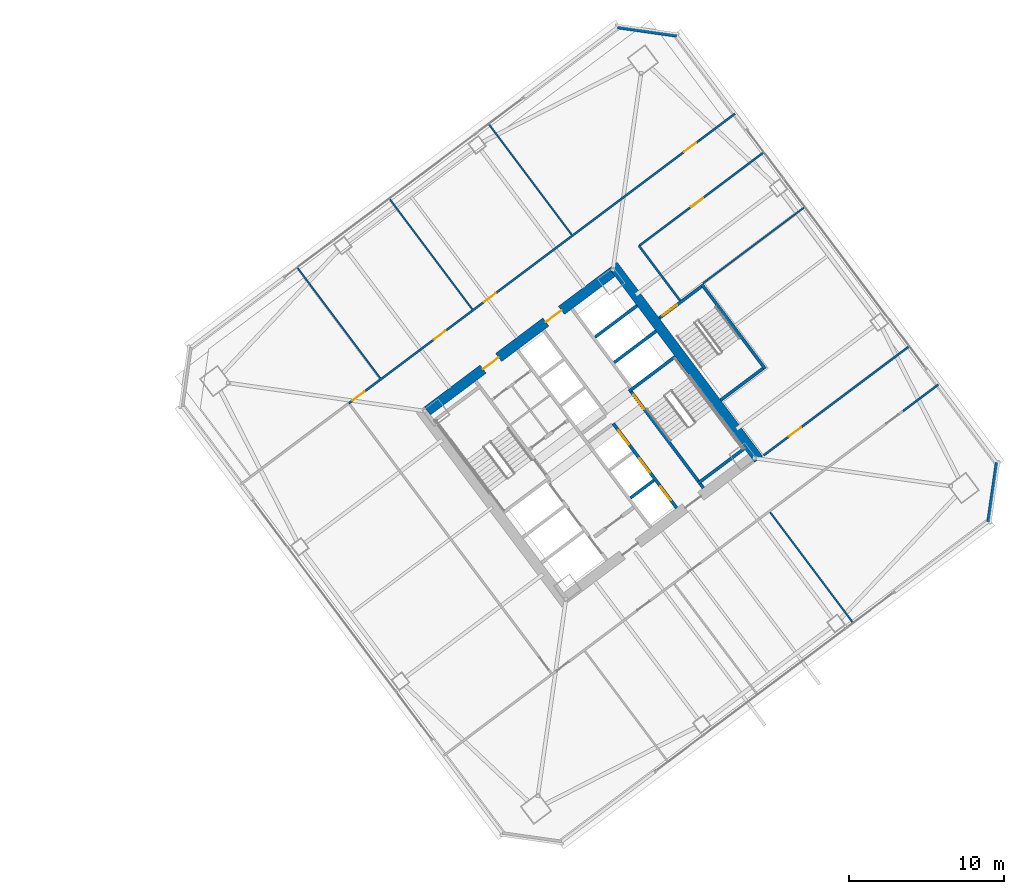
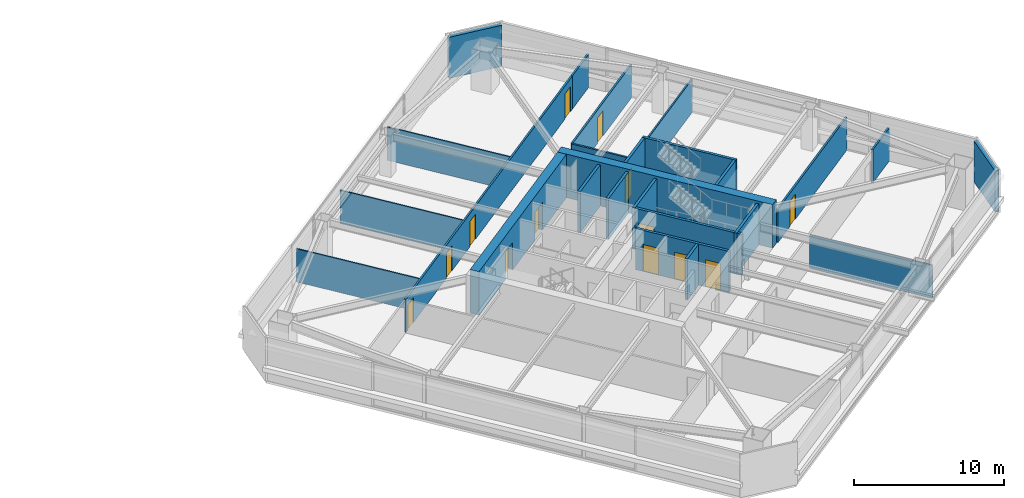
# One storey, part 36 of 44: 25 walls, 13 doors, 13 openings.
"""IFC4 building model written with IfcOpenShell, lengths in metres."""

from ifc_helpers import new_model, si_unit, direction, frame, frame_2d, origin, place, context, subcontext, project, spatial, rectangle, extrude, material, layer, layer_set, type_object, element, fill, save


model = new_model("IFC4")

# Units and contexts
model_context = context("Model", 3, precision=1e-05, world=origin(), true_north=direction((0.0, 1.0)))
body_context = subcontext(model_context, "Body", "Model", "MODEL_VIEW")
ifc_project = project(units=[si_unit("LENGTHUNIT", "METRE"), si_unit("AREAUNIT", "SQUARE_METRE"), si_unit("VOLUMEUNIT", "CUBIC_METRE"), si_unit("PLANEANGLEUNIT", "RADIAN"), si_unit("MASSUNIT", "GRAM", prefix="KILO")], contexts=[model_context])

# Site, building, storey
site_placement = place(None, origin())
site = spatial("IfcSite", under=ifc_project, at=site_placement, CompositionType="ELEMENT")
building_placement = place(site_placement, origin())
building = spatial("IfcBuilding", under=site, at=building_placement, Name="Tashvorn Skyway Center", CompositionType="ELEMENT")
storey_placement = place(building_placement, frame((0.0, 0.0, 74.300048828125)))
storey = spatial("IfcBuildingStorey", under=building, at=storey_placement, Name="L19", CompositionType="ELEMENT", Elevation=74.300048828125)

# Wall
ifc_material_1 = material(Name="Concrete C60/75", Category="concrete")
ifc_layer_1 = layer(ifc_material_1, 0.64990234375)
ifc_layer_set_1 = layer_set([ifc_layer_1], Name="Concrete C60/75")
wall_type_1 = type_object("IfcWallType", Name="WALL-CORE-650", PredefinedType="SHEAR", material=ifc_layer_set_1)
wall_1_placement = place(storey_placement, frame((115.52392578125, 42.89306640625, 0.0), z_axis=(0.0, 0.0, 1.0), x_axis=(0.600005007985, -0.799996243986, 0.0)))
element("IfcWall", 1, at=wall_1_placement, inside=storey, type_object=wall_type_1, Name="Tower 2 L19 East Core Shear Wall", PredefinedType="SHEAR", context=body_context, shape_type="SweptSolid", body=[
    extrude(rectangle(XDim=15.60009765625, YDim=0.64990234375, at=frame_2d((7.800048828125, 0.0))), origin(), (0.0, 0.0, 1.0), 3.550048828125),
])

# Wall, openings, doors
wall_2_placement = place(storey_placement, frame((103.571044921875, 33.52197265625, 0.0), z_axis=(0.0, 0.0, 1.0), x_axis=(0.799998028465, 0.600002628705, 0.0)))
wall_2 = element("IfcWall", 2, at=wall_2_placement, inside=storey, type_object=wall_type_1, Name="Tower 2 L19 North Core Shear Wall", PredefinedType="SHEAR", context=body_context, shape_type="SweptSolid", body=[
    extrude(rectangle(XDim=14.85986328125, YDim=0.64990234375, at=frame_2d((7.429931640625, 0.0))), origin(), (0.0, 0.0, 1.0), 3.550048828125),
])
opening_1_placement = place(wall_2_placement, frame((4.47998046875, 0.0, 0.0)))
opening_1 = element("IfcOpeningElement", 3, at=opening_1_placement, cuts=wall_2, Name="Opening D-FFL-1250", PredefinedType="OPENING", context=body_context, shape_type="SweptSolid", body=[
    extrude(rectangle(XDim=1.25, YDim=2.25, at=frame_2d((0.625, 1.125))), frame((0.0, 0.3349609375, 0.0), z_axis=(0.0, -1.0, 0.0), x_axis=(1.0, 0.0, 0.0)), (0.0, 0.0, 1.0), 0.669921875),
])
opening_2_placement = place(wall_2_placement, frame((9.530029296875, 0.0, 0.0)))
opening_2 = element("IfcOpeningElement", 4, at=opening_2_placement, cuts=wall_2, Name="Opening D-FFL-1250", PredefinedType="OPENING", context=body_context, shape_type="SweptSolid", body=[
    extrude(rectangle(XDim=1.25, YDim=2.25, at=frame_2d((0.625, 1.125))), frame((0.0, 0.3349609375, 0.0), z_axis=(0.0, -1.0, 0.0), x_axis=(1.0, 0.0, 0.0)), (0.0, 0.0, 1.0), 0.669921875),
])
ifc_material_2 = material(Name="Hollow galvanized steel fire door assembly", Category="steel")
door_type_1 = type_object("IfcDoorType", Name="DOOR-FFL-1250", OperationType="NOTDEFINED", PredefinedType="DOOR", material=ifc_material_2)
door_1_placement = place(opening_1_placement, origin())
door_1 = element("IfcDoor", 5, at=door_1_placement, inside=storey, type_object=door_type_1, Name="Tower 2 L19 Core North Service Lobby Door", OperationType="SINGLE_SWING_LEFT", OverallHeight=2.25, OverallWidth=1.25, PredefinedType="DOOR", context=body_context, shape_type="SweptSolid", body=[
    extrude(rectangle(XDim=1.25, YDim=2.25, at=frame_2d((0.625, 1.125))), frame((0.0, 0.02490234375, 0.0), z_axis=(0.0, -1.0, 0.0), x_axis=(1.0, 0.0, 0.0)), (0.0, 0.0, 1.0), 0.050048828125),
])
fill(opening_1, door_1)
door_2_placement = place(opening_2_placement, origin())
door_2 = element("IfcDoor", 6, at=door_2_placement, inside=storey, type_object=door_type_1, Name="Tower 2 L19 Core North Lift Lobby Door", OperationType="SINGLE_SWING_RIGHT", OverallHeight=2.25, OverallWidth=1.25, PredefinedType="DOOR", context=body_context, shape_type="SweptSolid", body=[
    extrude(rectangle(XDim=1.25, YDim=2.25, at=frame_2d((0.625, 1.125))), frame((0.0, 0.02490234375, 0.0), z_axis=(0.0, -1.0, 0.0), x_axis=(1.0, 0.0, 0.0)), (0.0, 0.0, 1.0), 0.050048828125),
])
fill(opening_2, door_2)

# Walls
ifc_material_3 = material(Name="Precast concrete C40/50", Category="concrete")
ifc_layer_2 = layer(ifc_material_3, 0.280029296875)
ifc_layer_set_2 = layer_set([ifc_layer_2], Name="Precast concrete C40/50")
wall_type_2 = type_object("IfcWallType", Name="WALL-EXT-280", PredefinedType="SOLIDWALL", material=ifc_layer_set_2)
for number, where, z_axis, x_axis, name in (
    (7, (115.820068359375, 58.239990234375, 0.0), (0.0, 0.0, 1.0), (0.989948214866, -0.141430307517, 0.0), "Tower 2 L19 NE Precast Chamfer Wall"),
    (8, (140.239990234375, 30.179931640625, 0.0), (0.0, 0.0, 1.0), (-0.141430307517, -0.989948214866, 0.0), "Tower 2 L19 SE Precast Chamfer Wall"),
):
    element("IfcWall", number, at=place(storey_placement, frame(where, z_axis=z_axis, x_axis=x_axis)), inside=storey, type_object=wall_type_2, Name=name, PredefinedType="SOLIDWALL", context=body_context, shape_type="SweptSolid", body=[
        extrude(rectangle(XDim=3.818359375, YDim=0.280029296875, at=frame_2d((1.9091796875, 0.0))), origin(), (0.0, 0.0, 1.0), 3.349853515625),
    ])
ifc_material_4 = material(Name="Gypsum board on cold-formed steel stud framing", Category="steel")
ifc_layer_3 = layer(ifc_material_4, 0.110107421875)
ifc_layer_set_3 = layer_set([ifc_layer_3], Name="Gypsum board on cold-formed steel stud framing")
wall_type_3 = type_object("IfcWallType", Name="WALL-PART-110", PredefinedType="PARTITIONING", material=ifc_layer_set_3)
for number, where, z_axis, x_axis, name in (
    (9, (100.531982421875, 35.6240234375, 0.0), (0.0, 0.0, 1.0), (-0.600013167126, 0.799990124486, 0.0), "Tower 2 L19 North Suite Partition 1"),
    (10, (106.451904296875, 40.06396484375, 0.0), (0.0, 0.0, 1.0), (-0.599982443676, 0.800013166942, 0.0), "Tower 2 L19 North Suite Partition 2"),
    (11, (112.85205078125, 44.864013671875, 0.0), (0.0, 0.0, 1.0), (-0.600013167126, 0.799990124486, 0.0), "Tower 2 L19 North Suite Partition 3"),
):
    element("IfcWall", number, at=place(storey_placement, frame(where, z_axis=z_axis, x_axis=x_axis)), inside=storey, type_object=wall_type_3, Name=name, PredefinedType="PARTITIONING", context=body_context, shape_type="SweptSolid", body=[
        extrude(rectangle(XDim=8.89990234375, YDim=0.110107421875, at=frame_2d((4.449951171875, 0.0))), origin(), (0.0, 0.0, 1.0), 2.702880859375),
    ])
wall_3_placement = place(storey_placement, frame((130.968017578125, 19.8759765625, 0.0), z_axis=(0.0, 0.0, 1.0), x_axis=(-0.6, 0.8, 0.0)))
element("IfcWall", 12, at=wall_3_placement, inside=storey, type_object=wall_type_3, Name="Tower 2 L19 South Suite Partition 3", PredefinedType="PARTITIONING", context=body_context, shape_type="SweptSolid", body=[
    extrude(rectangle(XDim=8.900146484375, YDim=0.110107421875, at=frame_2d((4.4501953125, 0.0))), origin(), (0.0, 0.0, 1.0), 2.702880859375),
])
wall_4_placement = place(storey_placement, frame((127.864013671875, 46.64794921875, 0.0), z_axis=(0.0, 0.0, 1.0), x_axis=(-0.800007145523, -0.599990472518, 0.0)))
element("IfcWall", 13, at=wall_4_placement, inside=storey, type_object=wall_type_3, Name="Tower 2 L19 East Suite Partition 1", PredefinedType="PARTITIONING", context=body_context, shape_type="SweptSolid", body=[
    extrude(rectangle(XDim=8.199951171875, YDim=0.110107421875, at=frame_2d((4.10009765625, 0.0))), origin(), (0.0, 0.0, 1.0), 2.702880859375),
])
ifc_layer_4 = layer(ifc_material_4, 0.135009765625)
ifc_layer_set_4 = layer_set([ifc_layer_4], Name="Gypsum board on cold-formed steel stud framing")
wall_type_4 = type_object("IfcWallType", Name="WALL-PART-135", PredefinedType="PARTITIONING", material=ifc_layer_set_4)
wall_5_placement = place(storey_placement, frame((119.823974609375, 40.617919921875, 0.0), z_axis=(0.0, 0.0, 1.0), x_axis=(-0.599982243973, 0.800013316712, 0.0)))
element("IfcWall", 14, at=wall_5_placement, inside=storey, type_object=wall_type_4, Name="Tower 2 L19 Stair 3 Access Corridor Wall", PredefinedType="PARTITIONING", context=body_context, shape_type="SweptSolid", body=[
    extrude(rectangle(XDim=4.39990234375, YDim=0.135009765625, at=frame_2d((2.199951171875, 0.0))), origin(), (0.0, 0.0, 1.0), 2.702880859375),
])

# Wall, openings, doors
wall_6_placement = place(storey_placement, frame((98.51611328125, 34.011962890625, 0.0), z_axis=(0.0, 0.0, 1.0), x_axis=(0.8, 0.6, 0.0)))
wall_6 = element("IfcWall", 15, at=wall_6_placement, inside=storey, type_object=wall_type_4, Name="Tower 2 L19 North Suite Wall", PredefinedType="PARTITIONING", context=body_context, shape_type="SweptSolid", body=[
    extrude(rectangle(XDim=28.22998046875, YDim=0.135009765625, at=frame_2d((14.114990234375, 0.0))), origin(), (0.0, 0.0, 1.0), 2.702880859375),
])
opening_3_placement = place(wall_6_placement, frame((0.300048828125, 0.0, 0.0)))
opening_3 = element("IfcOpeningElement", 16, at=opening_3_placement, cuts=wall_6, Name="Opening D-INT-950", PredefinedType="OPENING", context=body_context, shape_type="SweptSolid", body=[
    extrude(rectangle(XDim=0.949951171875, YDim=2.050048828125, at=frame_2d((0.47509765625, 1.02490234375))), frame((0.0, 0.077392578125, 0.0), z_axis=(0.0, -1.0, 0.0), x_axis=(1.0, 0.0, 0.0)), (0.0, 0.0, 1.0), 0.155029296875),
])
opening_4_placement = place(wall_6_placement, frame((6.839599609375, 0.0, 0.0)))
opening_4 = element("IfcOpeningElement", 17, at=opening_4_placement, cuts=wall_6, Name="Opening D-INT-950", PredefinedType="OPENING", context=body_context, shape_type="SweptSolid", body=[
    extrude(rectangle(XDim=0.949951171875, YDim=2.050048828125, at=frame_2d((0.47509765625, 1.02490234375))), frame((0.0, 0.077392578125, 0.0), z_axis=(0.0, -1.0, 0.0), x_axis=(1.0, 0.0, 0.0)), (0.0, 0.0, 1.0), 0.155029296875),
])
opening_5_placement = place(wall_6_placement, frame((10.86328125, 0.0, 0.0)))
opening_5 = element("IfcOpeningElement", 18, at=opening_5_placement, cuts=wall_6, Name="Opening D-INT-950", PredefinedType="OPENING", context=body_context, shape_type="SweptSolid", body=[
    extrude(rectangle(XDim=0.949951171875, YDim=2.050048828125, at=frame_2d((0.47509765625, 1.02490234375))), frame((0.0, 0.077392578125, 0.0), z_axis=(0.0, -1.0, 0.0), x_axis=(1.0, 0.0, 0.0)), (0.0, 0.0, 1.0), 0.155029296875),
])
opening_6_placement = place(wall_6_placement, frame((26.97998046875, 0.0, 0.0)))
opening_6 = element("IfcOpeningElement", 19, at=opening_6_placement, cuts=wall_6, Name="Opening D-INT-950", PredefinedType="OPENING", context=body_context, shape_type="SweptSolid", body=[
    extrude(rectangle(XDim=0.949951171875, YDim=2.050048828125, at=frame_2d((0.47509765625, 1.02490234375))), frame((0.0, 0.077392578125, 0.0), z_axis=(0.0, -1.0, 0.0), x_axis=(1.0, 0.0, 0.0)), (0.0, 0.0, 1.0), 0.155029296875),
])
ifc_material_5 = material(Name="Solid-core architectural oak veneer door")
door_type_2 = type_object("IfcDoorType", Name="DOOR-INT-950", OperationType="NOTDEFINED", PredefinedType="DOOR", material=ifc_material_5)
door_3_placement = place(opening_3_placement, origin())
door_3 = element("IfcDoor", 20, at=door_3_placement, inside=storey, type_object=door_type_2, Name="Tower 2 L19 Conference Room Door", OperationType="SINGLE_SWING_LEFT", OverallHeight=2.050048828125, OverallWidth=0.949951171875, PredefinedType="DOOR", context=body_context, shape_type="SweptSolid", body=[
    extrude(rectangle(XDim=0.949951171875, YDim=2.050048828125, at=frame_2d((0.47509765625, 1.02490234375))), frame((0.0, 0.02490234375, 0.0), z_axis=(0.0, -1.0, 0.0), x_axis=(1.0, 0.0, 0.0)), (0.0, 0.0, 1.0), 0.050048828125),
])
fill(opening_3, door_3)
door_4_placement = place(opening_4_placement, origin())
door_4 = element("IfcDoor", 21, at=door_4_placement, inside=storey, type_object=door_type_2, Name="Tower 2 L19 Conference Room Door", OperationType="SINGLE_SWING_RIGHT", OverallHeight=2.050048828125, OverallWidth=0.949951171875, PredefinedType="DOOR", context=body_context, shape_type="SweptSolid", body=[
    extrude(rectangle(XDim=0.949951171875, YDim=2.050048828125, at=frame_2d((0.47509765625, 1.02490234375))), frame((0.0, 0.02490234375, 0.0), z_axis=(0.0, -1.0, 0.0), x_axis=(1.0, 0.0, 0.0)), (0.0, 0.0, 1.0), 0.050048828125),
])
fill(opening_4, door_4)
door_5_placement = place(opening_5_placement, origin())
door_5 = element("IfcDoor", 22, at=door_5_placement, inside=storey, type_object=door_type_2, Name="Tower 2 L19 Boardroom Door", OperationType="SINGLE_SWING_LEFT", OverallHeight=2.050048828125, OverallWidth=0.949951171875, PredefinedType="DOOR", context=body_context, shape_type="SweptSolid", body=[
    extrude(rectangle(XDim=0.949951171875, YDim=2.050048828125, at=frame_2d((0.47509765625, 1.02490234375))), frame((0.0, 0.02490234375, 0.0), z_axis=(0.0, -1.0, 0.0), x_axis=(1.0, 0.0, 0.0)), (0.0, 0.0, 1.0), 0.050048828125),
])
fill(opening_5, door_5)
door_6_placement = place(opening_6_placement, origin())
door_6 = element("IfcDoor", 23, at=door_6_placement, inside=storey, type_object=door_type_2, Name="Tower 2 L19 Gallery Showroom Door", OperationType="SINGLE_SWING_RIGHT", OverallHeight=2.050048828125, OverallWidth=0.949951171875, PredefinedType="DOOR", context=body_context, shape_type="SweptSolid", body=[
    extrude(rectangle(XDim=0.949951171875, YDim=2.050048828125, at=frame_2d((0.47509765625, 1.02490234375))), frame((0.0, 0.02490234375, 0.0), z_axis=(0.0, -1.0, 0.0), x_axis=(1.0, 0.0, 0.0)), (0.0, 0.0, 1.0), 0.050048828125),
])
fill(opening_6, door_6)

# Walls
wall_7_placement = place(storey_placement, frame((121.10009765625, 50.949951171875, 0.0), z_axis=(0.0, 0.0, 1.0), x_axis=(0.799989647378, 0.600013803248, 0.0)))
element("IfcWall", 24, at=wall_7_placement, inside=storey, type_object=wall_type_4, Name="Tower 2 L19 North-East Suite South Wall", PredefinedType="PARTITIONING", context=body_context, shape_type="SweptSolid", body=[
    extrude(rectangle(XDim=2.829833984375, YDim=0.135009765625, at=frame_2d((1.4150390625, 0.0))), origin(), (0.0, 0.0, 1.0), 2.702880859375),
])
wall_8_placement = place(storey_placement, frame((134.179931640625, 33.510009765625, 0.0), z_axis=(0.0, 0.0, 1.0), x_axis=(0.8000207031, 0.599972394874, 0.0)))
element("IfcWall", 25, at=wall_8_placement, inside=storey, type_object=wall_type_4, Name="Tower 2 L19 South-East Suite North Wall", PredefinedType="PARTITIONING", context=body_context, shape_type="SweptSolid", body=[
    extrude(rectangle(XDim=2.830078125, YDim=0.135009765625, at=frame_2d((1.4150390625, 0.0))), origin(), (0.0, 0.0, 1.0), 2.702880859375),
])

# Wall, opening, door
wall_9_placement = place(storey_placement, frame((125.22412109375, 50.16796875, 0.0), z_axis=(0.0, 0.0, 1.0), x_axis=(-0.8, -0.6, 0.0)))
wall_9 = element("IfcWall", 26, at=wall_9_placement, inside=storey, type_object=wall_type_4, Name="Tower 2 L19 East Suite North Wall", PredefinedType="PARTITIONING", context=body_context, shape_type="SweptSolid", body=[
    extrude(rectangle(XDim=10.050048828125, YDim=0.135009765625, at=frame_2d((5.02490234375, 0.0))), origin(), (0.0, 0.0, 1.0), 2.702880859375),
])
opening_7_placement = place(wall_9_placement, frame((4.89990234375, 0.0, 0.0)))
opening_7 = element("IfcOpeningElement", 27, at=opening_7_placement, cuts=wall_9, Name="Opening D-INT-950", PredefinedType="OPENING", context=body_context, shape_type="SweptSolid", body=[
    extrude(rectangle(XDim=0.949951171875, YDim=2.050048828125, at=frame_2d((0.47509765625, 1.02490234375))), frame((0.0, 0.077392578125, 0.0), z_axis=(0.0, -1.0, 0.0), x_axis=(1.0, 0.0, 0.0)), (0.0, 0.0, 1.0), 0.155029296875),
])
door_7_placement = place(opening_7_placement, origin())
door_7 = element("IfcDoor", 28, at=door_7_placement, inside=storey, type_object=door_type_2, Name="Tower 2 L19 Gallery Showroom Door", OperationType="SINGLE_SWING_LEFT", OverallHeight=2.050048828125, OverallWidth=0.949951171875, PredefinedType="DOOR", context=body_context, shape_type="SweptSolid", body=[
    extrude(rectangle(XDim=0.949951171875, YDim=2.050048828125, at=frame_2d((0.47509765625, 1.02490234375))), frame((0.0, 0.02490234375, 0.0), z_axis=(0.0, -1.0, 0.0), x_axis=(1.0, 0.0, 0.0)), (0.0, 0.0, 1.0), 0.050048828125),
])
fill(opening_7, door_7)

wall_10_placement = place(storey_placement, frame((125.2080078125, 30.656005859375, 0.0), z_axis=(0.0, 0.0, 1.0), x_axis=(0.8, 0.6, 0.0)))
wall_10 = element("IfcWall", 29, at=wall_10_placement, inside=storey, type_object=wall_type_4, Name="Tower 2 L19 East Suite South Wall", PredefinedType="PARTITIONING", context=body_context, shape_type="SweptSolid", body=[
    extrude(rectangle(XDim=11.719970703125, YDim=0.135009765625, at=frame_2d((5.85986328125, 0.0))), origin(), (0.0, 0.0, 1.0), 2.702880859375),
])
opening_8_placement = place(wall_10_placement, frame((2.044921875, 0.0, 0.0)))
opening_8 = element("IfcOpeningElement", 30, at=opening_8_placement, cuts=wall_10, Name="Opening D-INT-950", PredefinedType="OPENING", context=body_context, shape_type="SweptSolid", body=[
    extrude(rectangle(XDim=0.949951171875, YDim=2.050048828125, at=frame_2d((0.47509765625, 1.02490234375))), frame((0.0, 0.077392578125, 0.0), z_axis=(0.0, -1.0, 0.0), x_axis=(1.0, 0.0, 0.0)), (0.0, 0.0, 1.0), 0.155029296875),
])
door_8_placement = place(opening_8_placement, origin())
door_8 = element("IfcDoor", 31, at=door_8_placement, inside=storey, type_object=door_type_2, Name="Tower 2 L19 Public Restroom Door", OperationType="SINGLE_SWING_RIGHT", OverallHeight=2.050048828125, OverallWidth=0.949951171875, PredefinedType="DOOR", context=body_context, shape_type="SweptSolid", body=[
    extrude(rectangle(XDim=0.949951171875, YDim=2.050048828125, at=frame_2d((0.47509765625, 1.02490234375))), frame((0.0, 0.02490234375, 0.0), z_axis=(0.0, -1.0, 0.0), x_axis=(1.0, 0.0, 0.0)), (0.0, 0.0, 1.0), 0.050048828125),
])
fill(opening_8, door_8)

# Walls
ifc_material_6 = material(Name="Concrete C40/50", Category="concrete")
ifc_layer_5 = layer(ifc_material_6, 0.199951171875)
ifc_layer_set_5 = layer_set([ifc_layer_5], Name="Concrete C40/50")
wall_type_5 = type_object("IfcWallType", Name="WALL-SHAFT-200", PredefinedType="SOLIDWALL", material=ifc_layer_set_5)
for number, where, z_axis, x_axis, name in (
    (32, (115.590087890625, 36.6298828125, 0.0), (0.0, 0.0, 1.0), (0.799973995579, 0.600034670996, 0.0), "Tower 2 L19 High-Rise Shaft Divider"),
    (33, (114.360107421875, 38.27001953125, 0.0), (0.0, 0.0, 1.0), (0.799973995579, 0.600034670996, 0.0), "Tower 2 L19 High-Rise Shaft Divider"),
):
    element("IfcWall", number, at=place(storey_placement, frame(where, z_axis=z_axis, x_axis=x_axis)), inside=storey, type_object=wall_type_5, Name=name, PredefinedType="SOLIDWALL", context=body_context, shape_type="SweptSolid", body=[
        extrude(rectangle(XDim=3.3798828125, YDim=0.199951171875, at=frame_2d((1.68994140625, 0.0))), origin(), (0.0, 0.0, 1.0), 3.349853515625),
    ])

# Wall, openings, doors
wall_11_placement = place(storey_placement, frame((119.610107421875, 27.27001953125, 0.0), z_axis=(0.0, 0.0, 1.0), x_axis=(-0.600011488909, 0.79999138319, 0.0)))
wall_11 = element("IfcWall", 34, at=wall_11_placement, inside=storey, type_object=wall_type_5, Name="Tower 2 L19 Low-Rise Core Wall", PredefinedType="SOLIDWALL", context=body_context, shape_type="SweptSolid", body=[
    extrude(rectangle(XDim=6.800048828125, YDim=0.199951171875, at=frame_2d((3.39990234375, 0.0))), origin(), (0.0, 0.0, 1.0), 3.349853515625),
])
opening_9_placement = place(wall_11_placement, frame((0.625, 0.0, 0.0)))
opening_9 = element("IfcOpeningElement", 35, at=opening_9_placement, cuts=wall_11, Name="Opening LD-LR-T2-1-L19", PredefinedType="OPENING", context=body_context, shape_type="SweptSolid", body=[
    extrude(rectangle(XDim=1.10009765625, YDim=2.199951171875, at=frame_2d((0.550048828125, 1.10009765625))), frame((0.0, 0.10986328125, 0.0), z_axis=(0.0, -1.0, 0.0), x_axis=(1.0, 0.0, 0.0)), (0.0, 0.0, 1.0), 0.219970703125),
])
opening_10_placement = place(wall_11_placement, frame((2.875, 0.0, 0.0)))
opening_10 = element("IfcOpeningElement", 36, at=opening_10_placement, cuts=wall_11, Name="Opening LD-LR-T2-2-L19", PredefinedType="OPENING", context=body_context, shape_type="SweptSolid", body=[
    extrude(rectangle(XDim=1.10009765625, YDim=2.199951171875, at=frame_2d((0.550048828125, 1.10009765625))), frame((0.0, 0.10986328125, 0.0), z_axis=(0.0, -1.0, 0.0), x_axis=(1.0, 0.0, 0.0)), (0.0, 0.0, 1.0), 0.219970703125),
])
opening_11_placement = place(wall_11_placement, frame((5.125, 0.0, 0.0)))
opening_11 = element("IfcOpeningElement", 37, at=opening_11_placement, cuts=wall_11, Name="Opening LD-LR-T2-3-L19", PredefinedType="OPENING", context=body_context, shape_type="SweptSolid", body=[
    extrude(rectangle(XDim=1.10009765625, YDim=2.199951171875, at=frame_2d((0.550048828125, 1.10009765625))), frame((0.0, 0.10986328125, 0.0), z_axis=(0.0, -1.0, 0.0), x_axis=(1.0, 0.0, 0.0)), (0.0, 0.0, 1.0), 0.219970703125),
])
ifc_material_7 = material(Name="Stainless steel landing door", Category="steel")
door_type_3 = type_object("IfcDoorType", Name="DOOR-LIFT-1100", OperationType="SLIDING_TO_LEFT", PredefinedType="DOOR", material=ifc_material_7)
door_9_placement = place(opening_9_placement, origin())
door_9 = element("IfcDoor", 38, at=door_9_placement, inside=storey, type_object=door_type_3, Name="Lift LR-T2-1 L19 Landing Door", OperationType="SLIDING_TO_LEFT", OverallHeight=2.199951171875, OverallWidth=1.10009765625, PredefinedType="DOOR", context=body_context, shape_type="SweptSolid", body=[
    extrude(rectangle(XDim=1.10009765625, YDim=2.199951171875, at=frame_2d((0.550048828125, 1.10009765625))), frame((0.0, 0.02490234375, 0.0), z_axis=(0.0, -1.0, 0.0), x_axis=(1.0, 0.0, 0.0)), (0.0, 0.0, 1.0), 0.050048828125),
])
fill(opening_9, door_9)
door_10_placement = place(opening_10_placement, origin())
door_10 = element("IfcDoor", 39, at=door_10_placement, inside=storey, type_object=door_type_3, Name="Lift LR-T2-2 L19 Landing Door", OperationType="SLIDING_TO_LEFT", OverallHeight=2.199951171875, OverallWidth=1.10009765625, PredefinedType="DOOR", context=body_context, shape_type="SweptSolid", body=[
    extrude(rectangle(XDim=1.10009765625, YDim=2.199951171875, at=frame_2d((0.550048828125, 1.10009765625))), frame((0.0, 0.02490234375, 0.0), z_axis=(0.0, -1.0, 0.0), x_axis=(1.0, 0.0, 0.0)), (0.0, 0.0, 1.0), 0.050048828125),
])
fill(opening_10, door_10)
door_11_placement = place(opening_11_placement, origin())
door_11 = element("IfcDoor", 40, at=door_11_placement, inside=storey, type_object=door_type_3, Name="Lift LR-T2-3 L19 Landing Door", OperationType="SLIDING_TO_LEFT", OverallHeight=2.199951171875, OverallWidth=1.10009765625, PredefinedType="DOOR", context=body_context, shape_type="SweptSolid", body=[
    extrude(rectangle(XDim=1.10009765625, YDim=2.199951171875, at=frame_2d((0.550048828125, 1.10009765625))), frame((0.0, 0.02490234375, 0.0), z_axis=(0.0, -1.0, 0.0), x_axis=(1.0, 0.0, 0.0)), (0.0, 0.0, 1.0), 0.050048828125),
])
fill(opening_11, door_11)

# Wall
wall_12_placement = place(storey_placement, frame((116.64599609375, 27.922119140625, 0.0), z_axis=(0.0, 0.0, 1.0), x_axis=(0.8, 0.6, 0.0)))
element("IfcWall", 41, at=wall_12_placement, inside=storey, type_object=wall_type_5, Name="Tower 2 L19 Low-Rise Shaft Divider", PredefinedType="SOLIDWALL", context=body_context, shape_type="SweptSolid", body=[
    extrude(rectangle(XDim=1.8798828125, YDim=0.199951171875, at=frame_2d((0.93994140625, 0.0))), origin(), (0.0, 0.0, 1.0), 3.349853515625),
])

# Wall, opening, door
ifc_layer_6 = layer(ifc_material_6, 0.199951171875)
ifc_layer_set_6 = layer_set([ifc_layer_6], Name="Concrete C40/50")
wall_type_6 = type_object("IfcWallType", Name="WALL-STSHF-200", PredefinedType="SHEAR", material=ifc_layer_set_6)
wall_13_placement = place(storey_placement, frame((116.56005859375, 34.919921875, 0.0), z_axis=(0.0, 0.0, 1.0), x_axis=(0.600009827119, -0.799992629566, 0.0)))
wall_13 = element("IfcWall", 42, at=wall_13_placement, inside=storey, type_object=wall_type_6, Name="Tower 2 L19 Stair 2 Enclosure Wall", PredefinedType="SHEAR", context=body_context, shape_type="SweptSolid", body=[
    extrude(rectangle(XDim=7.949951171875, YDim=0.199951171875, at=frame_2d((3.97509765625, 0.0))), origin(), (0.0, 0.0, 1.0), 3.349853515625),
])
opening_12_placement = place(wall_13_placement, frame((0.449951171875, 0.0, 0.0)))
opening_12 = element("IfcOpeningElement", 43, at=opening_12_placement, cuts=wall_13, Name="Opening D-ST-1150", PredefinedType="OPENING", context=body_context, shape_type="SweptSolid", body=[
    extrude(rectangle(XDim=1.14990234375, YDim=2.199951171875, at=frame_2d((0.574951171875, 1.10009765625))), frame((0.0, 0.10986328125, 0.0), z_axis=(0.0, -1.0, 0.0), x_axis=(1.0, 0.0, 0.0)), (0.0, 0.0, 1.0), 0.219970703125),
])
door_type_4 = type_object("IfcDoorType", Name="DOOR-STAIR-1150", OperationType="NOTDEFINED", PredefinedType="DOOR", material=ifc_material_2)
door_12_placement = place(opening_12_placement, origin())
door_12 = element("IfcDoor", 44, at=door_12_placement, inside=storey, type_object=door_type_4, Name="Tower 2 L19 Exit Stair 2 Door", OperationType="SINGLE_SWING_RIGHT", OverallHeight=2.199951171875, OverallWidth=1.14990234375, PredefinedType="DOOR", context=body_context, shape_type="SweptSolid", body=[
    extrude(rectangle(XDim=1.14990234375, YDim=2.199951171875, at=frame_2d((0.574951171875, 1.10009765625))), frame((0.0, 0.02490234375, 0.0), z_axis=(0.0, -1.0, 0.0), x_axis=(1.0, 0.0, 0.0)), (0.0, 0.0, 1.0), 0.050048828125),
])
fill(opening_12, door_12)

# Walls
for number, where, z_axis, x_axis, name in (
    (45, (116.5400390625, 34.780029296875, 0.0), (0.0, 0.0, 1.0), (0.799984290658, 0.600020945218, 0.0), "Tower 2 L19 Stair 2 North Wall"),
    (46, (120.97998046875, 28.860107421875, 0.0), (0.0, 0.0, 1.0), (0.800039270442, 0.59994763584, 0.0), "Tower 2 L19 Stair 2 South Wall"),
):
    element("IfcWall", number, at=place(storey_placement, frame(where, z_axis=z_axis, x_axis=x_axis)), inside=storey, type_object=wall_type_6, Name=name, PredefinedType="SHEAR", context=body_context, shape_type="SweptSolid", body=[
        extrude(rectangle(XDim=3.72998046875, YDim=0.199951171875, at=frame_2d((1.864990234375, 0.0))), origin(), (0.0, 0.0, 1.0), 3.349853515625),
    ])
wall_14_placement = place(storey_placement, frame((125.303955078125, 36.22802734375, 0.0), z_axis=(0.0, 0.0, 1.0), x_axis=(-0.59998851072, 0.800008616831, 0.0)))
element("IfcWall", 47, at=wall_14_placement, inside=storey, type_object=wall_type_6, Name="Tower 2 L19 Stair 3 Outer Wall", PredefinedType="SHEAR", context=body_context, shape_type="SweptSolid", body=[
    extrude(rectangle(XDim=6.7998046875, YDim=0.199951171875, at=frame_2d((3.39990234375, 0.0))), origin(), (0.0, 0.0, 1.0), 3.349853515625),
])

# Wall, opening, door
wall_15_placement = place(storey_placement, frame((121.2041015625, 41.528076171875, 0.0), z_axis=(0.0, 0.0, 1.0), x_axis=(-0.800017232136, -0.599977023131, 0.0)))
wall_15 = element("IfcWall", 48, at=wall_15_placement, inside=storey, type_object=wall_type_6, Name="Tower 2 L19 Stair 3 Enclosure Wall", PredefinedType="SHEAR", context=body_context, shape_type="SweptSolid", body=[
    extrude(rectangle(XDim=3.400146484375, YDim=0.199951171875, at=frame_2d((1.7001953125, 0.0))), origin(), (0.0, 0.0, 1.0), 3.349853515625),
])
opening_13_placement = place(wall_15_placement, frame((1.97509765625, 0.0, 0.0)))
opening_13 = element("IfcOpeningElement", 49, at=opening_13_placement, cuts=wall_15, Name="Opening D-ST-1150", PredefinedType="OPENING", context=body_context, shape_type="SweptSolid", body=[
    extrude(rectangle(XDim=1.14990234375, YDim=2.199951171875, at=frame_2d((0.574951171875, 1.10009765625))), frame((0.0, 0.10986328125, 0.0), z_axis=(0.0, -1.0, 0.0), x_axis=(1.0, 0.0, 0.0)), (0.0, 0.0, 1.0), 0.219970703125),
])
door_13_placement = place(opening_13_placement, origin())
door_13 = element("IfcDoor", 50, at=door_13_placement, inside=storey, type_object=door_type_4, Name="Tower 2 L19 Exit Stair 3 Door", OperationType="SINGLE_SWING_RIGHT", OverallHeight=2.199951171875, OverallWidth=1.14990234375, PredefinedType="DOOR", context=body_context, shape_type="SweptSolid", body=[
    extrude(rectangle(XDim=1.14990234375, YDim=2.199951171875, at=frame_2d((0.574951171875, 1.10009765625))), frame((0.0, 0.02490234375, 0.0), z_axis=(0.0, -1.0, 0.0), x_axis=(1.0, 0.0, 0.0)), (0.0, 0.0, 1.0), 0.050048828125),
])
fill(opening_13, door_13)

# Wall
wall_16_placement = place(storey_placement, frame((122.444091796875, 34.2080078125, 0.0), z_axis=(0.0, 0.0, 1.0), x_axis=(0.79999138319, 0.600011488909, 0.0)))
element("IfcWall", 51, at=wall_16_placement, inside=storey, type_object=wall_type_6, Name="Tower 2 L19 Stair 3 South Wall", PredefinedType="SHEAR", context=body_context, shape_type="SweptSolid", body=[
    extrude(rectangle(XDim=3.39990234375, YDim=0.199951171875, at=frame_2d((1.699951171875, 0.0))), origin(), (0.0, 0.0, 1.0), 3.349853515625),
])

save(model, "model.ifc")
